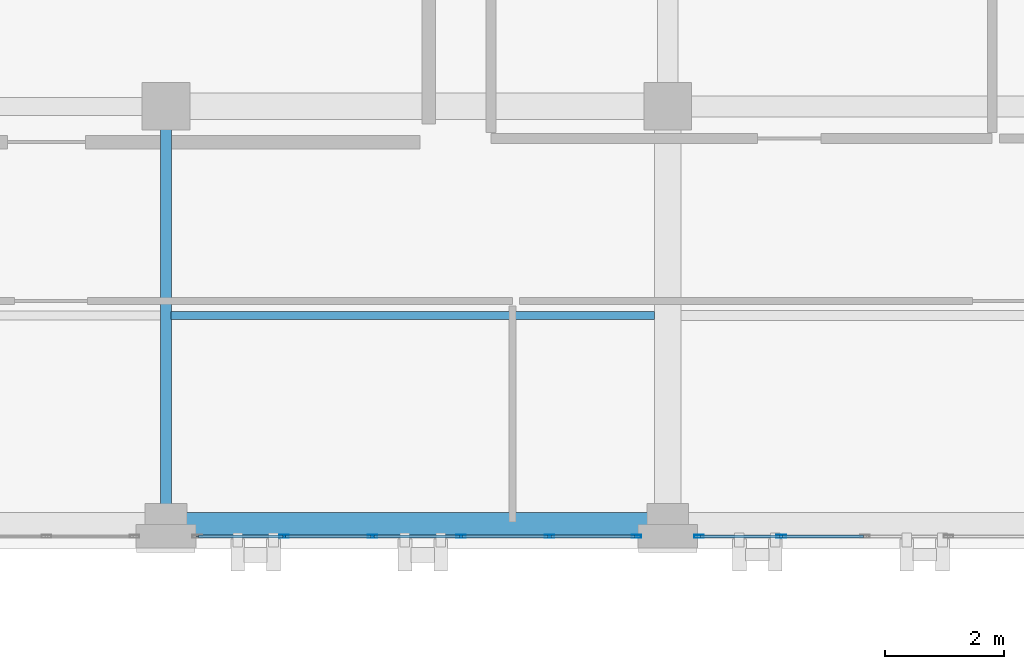
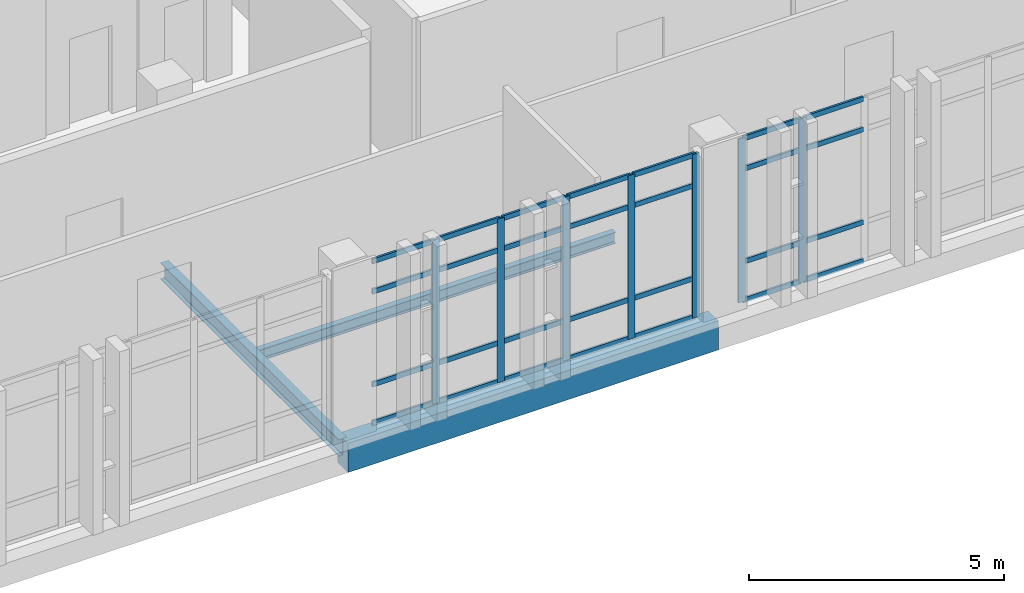
# One storey, part 80 of 158: 35 members, 3 beams, 2 elements without a shape of their own.
"""IFC4 building model written with IfcOpenShell, lengths in metres."""

import ifcopenshell
import ifcopenshell.guid

model = None  # the IFC model being written
_history = None  # IfcOwnerHistory: only IFC2X3 demands one
_inside = {}  # id of a spatial element -> (the spatial element, [elements in it])
_under = {}  # id of a project, library or spatial element -> (it, [spatial elements below it])
_declared = {}  # id of a project -> (the project, [libraries it declares])
_typed = {}  # id of a type object -> (the type object, [elements of that type])
_made_of = {}  # id of a material, layer set ... -> (it, [elements and type objects made of it])


def new_model(schema):
    """Start an empty IFC model of exactly this schema.

    Asked for "IFC4X3", IfcOpenShell would pick the latest addendum, in which some entities
    have other attributes; the version numbers below select the first issue.
    IFC2X3 requires an IfcOwnerHistory on every rooted entity: one is made here for all.
    """
    global model, _history
    if schema == "IFC4X3":
        model = ifcopenshell.file(schema_version=(4, 3, 0, 0))
    else:
        model = ifcopenshell.file(schema=schema)
    _inside.clear()
    _under.clear()
    _declared.clear()
    _typed.clear()
    _made_of.clear()
    _history = None
    if model.schema == "IFC2X3":
        org = make("IfcOrganization", Name="unknown")
        user = make(
            "IfcPersonAndOrganization",
            ThePerson=make("IfcPerson", FamilyName="unknown"),
            TheOrganization=org,
        )
        app = make(
            "IfcApplication",
            ApplicationDeveloper=org,
            Version="unknown",
            ApplicationFullName="unknown",
            ApplicationIdentifier="unknown",
        )
        _history = make(
            "IfcOwnerHistory",
            OwningUser=user,
            OwningApplication=app,
            ChangeAction="ADDED",
            CreationDate=0,
        )
    return model


def make(cls, **values):
    """One entity of the class cls with the attributes given. An attribute that is None is left unset."""
    return model.create_entity(
        cls, **{name: value for name, value in values.items() if value is not None}
    )


def rooted(cls, **values):
    """An entity with a GlobalId (a new one), such as an element, a storey or a relation."""
    return make(cls, GlobalId=ifcopenshell.guid.new(), OwnerHistory=_history, **values)


def si_unit(unit_type, name, prefix=None):
    """IfcSIUnit, for example si_unit("LENGTHUNIT", "METRE", prefix="MILLI")."""
    return make("IfcSIUnit", UnitType=unit_type, Prefix=prefix, Name=name)


def assignment(units):
    """IfcUnitAssignment: the units of a project."""
    return None if units is None else make("IfcUnitAssignment", Units=units)


def point(xyz):
    """IfcCartesianPoint."""
    return None if xyz is None else make("IfcCartesianPoint", Coordinates=xyz)


def direction(xyz):
    """IfcDirection."""
    return None if xyz is None else make("IfcDirection", DirectionRatios=xyz)


def frame(location, z_axis=None, x_axis=None):
    """IfcAxis2Placement3D, a coordinate frame: its origin and axes. An axis left out is left unset."""
    return make(
        "IfcAxis2Placement3D",
        Location=point(location),
        Axis=direction(z_axis),
        RefDirection=direction(x_axis),
    )


def frame_2d(location, x_axis=None):
    """IfcAxis2Placement2D, a coordinate frame in the plane: its origin and x axis."""
    return make(
        "IfcAxis2Placement2D", Location=point(location), RefDirection=direction(x_axis)
    )


def origin():
    """The frame at (0, 0, 0) with its axes left unset."""
    return frame((0.0, 0.0, 0.0))


def origin_2d():
    """The frame at (0, 0) in the plane with its x axis left unset."""
    return frame_2d((0.0, 0.0))


def place(relative_to, where):
    """IfcLocalPlacement: puts the frame where relative to a parent placement (None: the world)."""
    return make(
        "IfcLocalPlacement", PlacementRelTo=relative_to, RelativePlacement=where
    )


def context(
    kind, dimensions, precision=None, world=None, true_north=None, identifier=None
):
    """IfcGeometricRepresentationContext, for example the 3D "Model" context."""
    return make(
        "IfcGeometricRepresentationContext",
        ContextIdentifier=identifier,
        ContextType=kind,
        CoordinateSpaceDimension=dimensions,
        Precision=precision,
        WorldCoordinateSystem=world,
        TrueNorth=true_north,
    )


def subcontext(parent, identifier, kind, view, scale=None):
    """IfcGeometricRepresentationSubContext, for example "Body" below "Model"."""
    return make(
        "IfcGeometricRepresentationSubContext",
        ContextIdentifier=identifier,
        ContextType=kind,
        ParentContext=parent,
        TargetScale=scale,
        TargetView=view,
    )


def project(units=None, contexts=None):
    """IfcProject with its units and contexts."""
    return rooted(
        "IfcProject",
        Name="project",
        RepresentationContexts=contexts,
        UnitsInContext=assignment(units),
    )


def spatial(cls, under=None, at=None, **own):
    """A site, building, storey or space (cls), placed at a placement, below another one or the project."""
    s = rooted(cls, ObjectPlacement=at, **own)
    if under is not None:
        _under.setdefault(under.id(), (under, []))[1].append(s)
    return s


def profile(cls, at=None, kind="AREA", **sizes):
    """A parametric profile (cls). Its sizes go by their IFC names, for example OverallWidth=200.0."""
    return make(cls, ProfileType=kind, Position=at, **sizes)


def rectangle(**sizes):
    """IfcRectangleProfileDef."""
    return profile("IfcRectangleProfileDef", **sizes)


def hollow_rectangle(**sizes):
    """IfcRectangleHollowProfileDef."""
    return profile("IfcRectangleHollowProfileDef", **sizes)


def i_section(**sizes):
    """IfcIShapeProfileDef."""
    return profile("IfcIShapeProfileDef", **sizes)


def extrude(swept, where, along, depth):
    """IfcExtrudedAreaSolid: the profile swept, set in the frame where, extruded along a direction by depth."""
    return make(
        "IfcExtrudedAreaSolid",
        SweptArea=swept,
        Position=where,
        ExtrudedDirection=direction(along),
        Depth=depth,
    )


def shape(context_of_items, identifier, shape_type, items):
    """IfcShapeRepresentation: the items that make up one representation, for example the "Body"."""
    return make(
        "IfcShapeRepresentation",
        ContextOfItems=context_of_items,
        RepresentationIdentifier=identifier,
        RepresentationType=shape_type,
        Items=items,
    )


def material(Name=None, Category=None):
    """IfcMaterial."""
    return make("IfcMaterial", Name=Name, Category=Category)


def layer(
    of_material, thickness, ventilated=None, Name=None, Category=None, Priority=None
):
    """IfcMaterialLayer: one layer of a wall or slab, of a material (None: an air gap)."""
    return make(
        "IfcMaterialLayer",
        Material=of_material,
        LayerThickness=thickness,
        IsVentilated=ventilated,
        Name=Name,
        Category=Category,
        Priority=Priority,
    )


def layer_set(layers, Name=None):
    """IfcMaterialLayerSet."""
    return make("IfcMaterialLayerSet", MaterialLayers=layers, LayerSetName=Name)


def material_profile(
    of_material, cross_section, Name=None, Category=None, Priority=None
):
    """IfcMaterialProfile: a cross section and its material."""
    return make(
        "IfcMaterialProfile",
        Name=Name,
        Material=of_material,
        Profile=cross_section,
        Priority=Priority,
        Category=Category,
    )


def profile_set(profiles, Name=None, composite=None):
    """IfcMaterialProfileSet."""
    return make(
        "IfcMaterialProfileSet",
        Name=Name,
        MaterialProfiles=profiles,
        CompositeProfile=composite,
    )


def made_of(thing, what):
    """Note that an element or type object is made of a material, layer set ...; save() writes the relation."""
    if what is not None:
        _made_of.setdefault(what.id(), (what, []))[1].append(thing)
    return thing


def type_object(cls, material=None, **own):
    """A type object (cls), such as IfcWallType, which elements share."""
    return made_of(rooted(cls, **own), material)


def element(
    cls,
    number,
    at=None,
    inside=None,
    cuts=None,
    type_object=None,
    material=None,
    context=None,
    identifier="Body",
    shape_type=None,
    held_by="IfcProductDefinitionShape",
    body=None,
    shapes=None,
    **own,
):
    """One element of the class cls, such as IfcWall. Its Tag is "e" and its number.

    at: its placement. inside: the storey or other place that contains it. cuts: it is an
    opening in that element (IfcRelVoidsElement). A single representation is given by context,
    identifier, shape_type and body (its items); several are given by shapes. held_by: the class
    of the entity that holds the representations. save() writes the other relations.
    """
    e = rooted(cls, Tag="e%d" % number, ObjectPlacement=at, **own)
    if body is not None:
        shapes = [shape(context, identifier, shape_type, body)]
    if shapes is not None:
        e.Representation = make(held_by, Representations=shapes)
    if inside is not None:
        _inside.setdefault(inside.id(), (inside, []))[1].append(e)
    if cuts is not None:
        rooted(
            "IfcRelVoidsElement", RelatingBuildingElement=cuts, RelatedOpeningElement=e
        )
    if type_object is not None:
        _typed.setdefault(type_object.id(), (type_object, []))[1].append(e)
    return made_of(e, material)


def aggregate(whole, parts):
    """IfcRelAggregates: a whole, such as a stair, and the parts it consists of."""
    return rooted("IfcRelAggregates", RelatingObject=whole, RelatedObjects=parts)


def save(model, path):
    """Write the relations noted so far, then the file.

    IfcRelAggregates (storeys below a building ...), IfcRelContainedInSpatialStructure (elements
    in a storey), IfcRelDefinesByType, IfcRelAssociatesMaterial and IfcRelDeclares: one each for
    every whole, place, type object, material and project.
    """
    for whole, parts in _under.values():
        aggregate(whole, parts)
    for where, things in _inside.values():
        rooted(
            "IfcRelContainedInSpatialStructure",
            RelatedElements=things,
            RelatingStructure=where,
        )
    for kind, things in _typed.values():
        rooted("IfcRelDefinesByType", RelatedObjects=things, RelatingType=kind)
    for what, things in _made_of.values():
        rooted("IfcRelAssociatesMaterial", RelatedObjects=things, RelatingMaterial=what)
    for by, libraries in _declared.values():
        rooted("IfcRelDeclares", RelatingContext=by, RelatedDefinitions=libraries)
    model.write(path)


model = new_model("IFC4")

# Units and contexts
model_context = context("Model", 3, precision=1e-05, world=origin(), true_north=direction((0.0, 1.0)))
body_context = subcontext(model_context, "Body", "Model", "MODEL_VIEW")
ifc_project = project(units=[si_unit("LENGTHUNIT", "METRE"), si_unit("AREAUNIT", "SQUARE_METRE"), si_unit("VOLUMEUNIT", "CUBIC_METRE"), si_unit("PLANEANGLEUNIT", "RADIAN"), si_unit("MASSUNIT", "GRAM", prefix="KILO")], contexts=[model_context])

# Site, building, storey
site_placement = place(None, origin())
site = spatial("IfcSite", under=ifc_project, at=site_placement, CompositionType="ELEMENT")
building_placement = place(site_placement, origin())
building = spatial("IfcBuilding", under=site, at=building_placement, Name="Qalavern Law Courts", CompositionType="ELEMENT")
storey_placement = place(building_placement, frame((0.0, 0.0, 18.60009765625)))
storey = spatial("IfcBuildingStorey", under=building, at=storey_placement, Name="L04", CompositionType="ELEMENT", Elevation=18.60009765625)

# Curtain wall, members
ifc_material_1 = material(Name="Anodised aluminium and insulated glazing", Category="aluminium")
ifc_layer = layer(ifc_material_1, 0.166015625)
ifc_layer_set = layer_set([ifc_layer], Name="Anodised aluminium and insulated glazing")
curtain_wall_type = type_object("IfcCurtainWallType", Name="ENV-CW-LIB", PredefinedType="USERDEFINED", material=ifc_layer_set)
curtain_wall_1_placement = place(storey_placement, origin())
curtain_wall_1 = element("IfcCurtainWall", 1, at=curtain_wall_1_placement, inside=storey, type_object=curtain_wall_type, Name="V5 unitised curtain wall L04 south 2", ObjectType="UNITISED CURTAIN WALL", PredefinedType="USERDEFINED")
ifc_material_2 = material(Name="Anodised aluminium", Category="aluminium")
ifc_material_profile_1 = material_profile(ifc_material_2, hollow_rectangle(XDim=0.048095703125, YDim=0.159912109375, WallThickness=0.00390625, at=origin_2d()), Name="ALU MULLION 48x160")
ifc_profile_set_1 = profile_set([ifc_material_profile_1], Name="Anodised aluminium")
member_type_1 = type_object("IfcMemberType", Name="ENV-CWM-48x160", PredefinedType="MULLION", material=ifc_profile_set_1)
member_1_placement = place(storey_placement, frame((30.3798828125, 96.39990234375, 0.0), z_axis=(0.0, 0.0, 1.0), x_axis=(0.0, 1.0, 0.0)))
member_1 = element("IfcMember", 2, at=member_1_placement, type_object=member_type_1, Name="CW-05 mullion 2", PredefinedType="MULLION", context=body_context, shape_type="SweptSolid", body=[
    extrude(hollow_rectangle(XDim=0.048095703125, YDim=0.159912109375, WallThickness=0.00390625, at=origin_2d()), origin(), (0.0, 0.0, 1.0), 3.9248046875),
])
member_2_placement = place(storey_placement, frame((31.860107421875, 96.39990234375, 0.0), z_axis=(0.0, 0.0, 1.0), x_axis=(0.0, 1.0, 0.0)))
member_2 = element("IfcMember", 3, at=member_2_placement, type_object=member_type_1, Name="CW-05 mullion 3", PredefinedType="MULLION", context=body_context, shape_type="SweptSolid", body=[
    extrude(hollow_rectangle(XDim=0.048095703125, YDim=0.159912109375, WallThickness=0.00390625, at=origin_2d()), origin(), (0.0, 0.0, 1.0), 3.9248046875),
])
member_3_placement = place(storey_placement, frame((33.340087890625, 96.39990234375, 0.0), z_axis=(0.0, 0.0, 1.0), x_axis=(0.0, 1.0, 0.0)))
member_3 = element("IfcMember", 4, at=member_3_placement, type_object=member_type_1, Name="CW-05 mullion 4", PredefinedType="MULLION", context=body_context, shape_type="SweptSolid", body=[
    extrude(hollow_rectangle(XDim=0.048095703125, YDim=0.159912109375, WallThickness=0.00390625, at=origin_2d()), origin(), (0.0, 0.0, 1.0), 3.9248046875),
])
member_4_placement = place(storey_placement, frame((34.820068359375, 96.39990234375, 0.0), z_axis=(0.0, 0.0, 1.0), x_axis=(0.0, 1.0, 0.0)))
member_4 = element("IfcMember", 5, at=member_4_placement, type_object=member_type_1, Name="CW-05 mullion 5", PredefinedType="MULLION", context=body_context, shape_type="SweptSolid", body=[
    extrude(hollow_rectangle(XDim=0.048095703125, YDim=0.159912109375, WallThickness=0.00390625, at=origin_2d()), origin(), (0.0, 0.0, 1.0), 3.9248046875),
])
member_5_placement = place(storey_placement, frame((36.27587890625, 96.39990234375, 0.0), z_axis=(0.0, 0.0, 1.0), x_axis=(0.0, 1.0, 0.0)))
member_5 = element("IfcMember", 6, at=member_5_placement, type_object=member_type_1, Name="CW-05 mullion 6", PredefinedType="MULLION", context=body_context, shape_type="SweptSolid", body=[
    extrude(hollow_rectangle(XDim=0.048095703125, YDim=0.159912109375, WallThickness=0.00390625, at=origin_2d()), origin(), (0.0, 0.0, 1.0), 3.9248046875),
])

curtain_wall_2_placement = place(storey_placement, origin())
curtain_wall_2 = element("IfcCurtainWall", 7, at=curtain_wall_2_placement, inside=storey, type_object=curtain_wall_type, Name="V5 unitised curtain wall L04 south 3", ObjectType="UNITISED CURTAIN WALL", PredefinedType="USERDEFINED")
member_6_placement = place(storey_placement, frame((37.323974609375, 96.39990234375, 0.0), z_axis=(0.0, 0.0, 1.0), x_axis=(0.0, 1.0, 0.0)))
member_6 = element("IfcMember", 8, at=member_6_placement, type_object=member_type_1, Name="CW-05 mullion 1", PredefinedType="MULLION", context=body_context, shape_type="SweptSolid", body=[
    extrude(hollow_rectangle(XDim=0.048095703125, YDim=0.159912109375, WallThickness=0.00390625, at=origin_2d()), origin(), (0.0, 0.0, 1.0), 3.9248046875),
])
member_7_placement = place(storey_placement, frame((38.699951171875, 96.39990234375, 0.0), z_axis=(0.0, 0.0, 1.0), x_axis=(0.0, 1.0, 0.0)))
member_7 = element("IfcMember", 9, at=member_7_placement, type_object=member_type_1, Name="CW-05 mullion 2", PredefinedType="MULLION", context=body_context, shape_type="SweptSolid", body=[
    extrude(hollow_rectangle(XDim=0.048095703125, YDim=0.159912109375, WallThickness=0.00390625, at=origin_2d()), origin(), (0.0, 0.0, 1.0), 3.9248046875),
])

# Member
ifc_material_profile_2 = material_profile(ifc_material_2, hollow_rectangle(XDim=0.048095703125, YDim=0.1201171875, WallThickness=0.00390625, at=origin_2d()), Name="ALU TRANSOM 48x120")
ifc_profile_set_2 = profile_set([ifc_material_profile_2], Name="Anodised aluminium")
member_type_2 = type_object("IfcMemberType", Name="ENV-CWT-48x120", PredefinedType="USERDEFINED", material=ifc_profile_set_2)
member_8_placement = place(storey_placement, frame((28.947998046875, 96.39990234375, 0.02392578125), z_axis=(1.0, 0.0, 0.0), x_axis=(0.0, 1.0, 0.0)))
member_8 = element("IfcMember", 10, at=member_8_placement, type_object=member_type_2, Name="CW-05 transom 1.1", ObjectType="TRANSOM", PredefinedType="USERDEFINED", context=body_context, shape_type="SweptSolid", body=[
    extrude(hollow_rectangle(XDim=0.048095703125, YDim=0.1201171875, WallThickness=0.00390625, at=origin_2d()), origin(), (0.0, 0.0, 1.0), 1.407958984375),
])

member_9_placement = place(storey_placement, frame((28.947998046875, 96.39990234375, 0.949951171875), z_axis=(1.0, 0.0, 0.0), x_axis=(0.0, 1.0, 0.0)))
member_9 = element("IfcMember", 11, at=member_9_placement, type_object=member_type_2, Name="CW-05 transom 1.2", ObjectType="TRANSOM", PredefinedType="USERDEFINED", context=body_context, shape_type="SweptSolid", body=[
    extrude(hollow_rectangle(XDim=0.048095703125, YDim=0.1201171875, WallThickness=0.00390625, at=origin_2d()), origin(), (0.0, 0.0, 1.0), 1.407958984375),
])

member_10_placement = place(storey_placement, frame((28.947998046875, 96.39990234375, 3.1748046875), z_axis=(1.0, 0.0, 0.0), x_axis=(0.0, 1.0, 0.0)))
member_10 = element("IfcMember", 12, at=member_10_placement, type_object=member_type_2, Name="CW-05 transom 1.3", ObjectType="TRANSOM", PredefinedType="USERDEFINED", context=body_context, shape_type="SweptSolid", body=[
    extrude(hollow_rectangle(XDim=0.048095703125, YDim=0.1201171875, WallThickness=0.00390625, at=origin_2d()), origin(), (0.0, 0.0, 1.0), 1.407958984375),
])

member_11_placement = place(storey_placement, frame((28.947998046875, 96.39990234375, 3.90087890625), z_axis=(1.0, 0.0, 0.0), x_axis=(0.0, 1.0, 0.0)))
member_11 = element("IfcMember", 13, at=member_11_placement, type_object=member_type_2, Name="CW-05 transom 1.4", ObjectType="TRANSOM", PredefinedType="USERDEFINED", context=body_context, shape_type="SweptSolid", body=[
    extrude(hollow_rectangle(XDim=0.048095703125, YDim=0.1201171875, WallThickness=0.00390625, at=origin_2d()), origin(), (0.0, 0.0, 1.0), 1.407958984375),
])

member_12_placement = place(storey_placement, frame((30.404052734375, 96.39990234375, 0.02392578125), z_axis=(1.0, 0.0, 0.0), x_axis=(0.0, 1.0, 0.0)))
member_12 = element("IfcMember", 14, at=member_12_placement, type_object=member_type_2, Name="CW-05 transom 2.1", ObjectType="TRANSOM", PredefinedType="USERDEFINED", context=body_context, shape_type="SweptSolid", body=[
    extrude(hollow_rectangle(XDim=0.048095703125, YDim=0.1201171875, WallThickness=0.00390625, at=origin_2d()), origin(), (0.0, 0.0, 1.0), 1.431884765625),
])

member_13_placement = place(storey_placement, frame((30.404052734375, 96.39990234375, 0.949951171875), z_axis=(1.0, 0.0, 0.0), x_axis=(0.0, 1.0, 0.0)))
member_13 = element("IfcMember", 15, at=member_13_placement, type_object=member_type_2, Name="CW-05 transom 2.2", ObjectType="TRANSOM", PredefinedType="USERDEFINED", context=body_context, shape_type="SweptSolid", body=[
    extrude(hollow_rectangle(XDim=0.048095703125, YDim=0.1201171875, WallThickness=0.00390625, at=origin_2d()), origin(), (0.0, 0.0, 1.0), 1.431884765625),
])

member_14_placement = place(storey_placement, frame((30.404052734375, 96.39990234375, 3.1748046875), z_axis=(1.0, 0.0, 0.0), x_axis=(0.0, 1.0, 0.0)))
member_14 = element("IfcMember", 16, at=member_14_placement, type_object=member_type_2, Name="CW-05 transom 2.3", ObjectType="TRANSOM", PredefinedType="USERDEFINED", context=body_context, shape_type="SweptSolid", body=[
    extrude(hollow_rectangle(XDim=0.048095703125, YDim=0.1201171875, WallThickness=0.00390625, at=origin_2d()), origin(), (0.0, 0.0, 1.0), 1.431884765625),
])

member_15_placement = place(storey_placement, frame((30.404052734375, 96.39990234375, 3.90087890625), z_axis=(1.0, 0.0, 0.0), x_axis=(0.0, 1.0, 0.0)))
member_15 = element("IfcMember", 17, at=member_15_placement, type_object=member_type_2, Name="CW-05 transom 2.4", ObjectType="TRANSOM", PredefinedType="USERDEFINED", context=body_context, shape_type="SweptSolid", body=[
    extrude(hollow_rectangle(XDim=0.048095703125, YDim=0.1201171875, WallThickness=0.00390625, at=origin_2d()), origin(), (0.0, 0.0, 1.0), 1.431884765625),
])

member_16_placement = place(storey_placement, frame((31.884033203125, 96.39990234375, 0.02392578125), z_axis=(1.0, 0.0, 0.0), x_axis=(0.0, 1.0, 0.0)))
member_16 = element("IfcMember", 18, at=member_16_placement, type_object=member_type_2, Name="CW-05 transom 3.1", ObjectType="TRANSOM", PredefinedType="USERDEFINED", context=body_context, shape_type="SweptSolid", body=[
    extrude(hollow_rectangle(XDim=0.048095703125, YDim=0.1201171875, WallThickness=0.00390625, at=origin_2d()), origin(), (0.0, 0.0, 1.0), 1.431884765625),
])

member_17_placement = place(storey_placement, frame((31.884033203125, 96.39990234375, 0.949951171875), z_axis=(1.0, 0.0, 0.0), x_axis=(0.0, 1.0, 0.0)))
member_17 = element("IfcMember", 19, at=member_17_placement, type_object=member_type_2, Name="CW-05 transom 3.2", ObjectType="TRANSOM", PredefinedType="USERDEFINED", context=body_context, shape_type="SweptSolid", body=[
    extrude(hollow_rectangle(XDim=0.048095703125, YDim=0.1201171875, WallThickness=0.00390625, at=origin_2d()), origin(), (0.0, 0.0, 1.0), 1.431884765625),
])

member_18_placement = place(storey_placement, frame((31.884033203125, 96.39990234375, 3.1748046875), z_axis=(1.0, 0.0, 0.0), x_axis=(0.0, 1.0, 0.0)))
member_18 = element("IfcMember", 20, at=member_18_placement, type_object=member_type_2, Name="CW-05 transom 3.3", ObjectType="TRANSOM", PredefinedType="USERDEFINED", context=body_context, shape_type="SweptSolid", body=[
    extrude(hollow_rectangle(XDim=0.048095703125, YDim=0.1201171875, WallThickness=0.00390625, at=origin_2d()), origin(), (0.0, 0.0, 1.0), 1.431884765625),
])

member_19_placement = place(storey_placement, frame((31.884033203125, 96.39990234375, 3.90087890625), z_axis=(1.0, 0.0, 0.0), x_axis=(0.0, 1.0, 0.0)))
member_19 = element("IfcMember", 21, at=member_19_placement, type_object=member_type_2, Name="CW-05 transom 3.4", ObjectType="TRANSOM", PredefinedType="USERDEFINED", context=body_context, shape_type="SweptSolid", body=[
    extrude(hollow_rectangle(XDim=0.048095703125, YDim=0.1201171875, WallThickness=0.00390625, at=origin_2d()), origin(), (0.0, 0.0, 1.0), 1.431884765625),
])

member_20_placement = place(storey_placement, frame((33.364013671875, 96.39990234375, 0.02392578125), z_axis=(1.0, 0.0, 0.0), x_axis=(0.0, 1.0, 0.0)))
member_20 = element("IfcMember", 22, at=member_20_placement, type_object=member_type_2, Name="CW-05 transom 4.1", ObjectType="TRANSOM", PredefinedType="USERDEFINED", context=body_context, shape_type="SweptSolid", body=[
    extrude(hollow_rectangle(XDim=0.048095703125, YDim=0.1201171875, WallThickness=0.00390625, at=origin_2d()), origin(), (0.0, 0.0, 1.0), 1.431884765625),
])

member_21_placement = place(storey_placement, frame((33.364013671875, 96.39990234375, 0.949951171875), z_axis=(1.0, 0.0, 0.0), x_axis=(0.0, 1.0, 0.0)))
member_21 = element("IfcMember", 23, at=member_21_placement, type_object=member_type_2, Name="CW-05 transom 4.2", ObjectType="TRANSOM", PredefinedType="USERDEFINED", context=body_context, shape_type="SweptSolid", body=[
    extrude(hollow_rectangle(XDim=0.048095703125, YDim=0.1201171875, WallThickness=0.00390625, at=origin_2d()), origin(), (0.0, 0.0, 1.0), 1.431884765625),
])

member_22_placement = place(storey_placement, frame((33.364013671875, 96.39990234375, 3.1748046875), z_axis=(1.0, 0.0, 0.0), x_axis=(0.0, 1.0, 0.0)))
member_22 = element("IfcMember", 24, at=member_22_placement, type_object=member_type_2, Name="CW-05 transom 4.3", ObjectType="TRANSOM", PredefinedType="USERDEFINED", context=body_context, shape_type="SweptSolid", body=[
    extrude(hollow_rectangle(XDim=0.048095703125, YDim=0.1201171875, WallThickness=0.00390625, at=origin_2d()), origin(), (0.0, 0.0, 1.0), 1.431884765625),
])

member_23_placement = place(storey_placement, frame((33.364013671875, 96.39990234375, 3.90087890625), z_axis=(1.0, 0.0, 0.0), x_axis=(0.0, 1.0, 0.0)))
member_23 = element("IfcMember", 25, at=member_23_placement, type_object=member_type_2, Name="CW-05 transom 4.4", ObjectType="TRANSOM", PredefinedType="USERDEFINED", context=body_context, shape_type="SweptSolid", body=[
    extrude(hollow_rectangle(XDim=0.048095703125, YDim=0.1201171875, WallThickness=0.00390625, at=origin_2d()), origin(), (0.0, 0.0, 1.0), 1.431884765625),
])

member_24_placement = place(storey_placement, frame((34.843994140625, 96.39990234375, 0.02392578125), z_axis=(1.0, 0.0, 0.0), x_axis=(0.0, 1.0, 0.0)))
member_24 = element("IfcMember", 26, at=member_24_placement, type_object=member_type_2, Name="CW-05 transom 5.1", ObjectType="TRANSOM", PredefinedType="USERDEFINED", context=body_context, shape_type="SweptSolid", body=[
    extrude(hollow_rectangle(XDim=0.048095703125, YDim=0.1201171875, WallThickness=0.00390625, at=origin_2d()), origin(), (0.0, 0.0, 1.0), 1.407958984375),
])

member_25_placement = place(storey_placement, frame((34.843994140625, 96.39990234375, 0.949951171875), z_axis=(1.0, 0.0, 0.0), x_axis=(0.0, 1.0, 0.0)))
member_25 = element("IfcMember", 27, at=member_25_placement, type_object=member_type_2, Name="CW-05 transom 5.2", ObjectType="TRANSOM", PredefinedType="USERDEFINED", context=body_context, shape_type="SweptSolid", body=[
    extrude(hollow_rectangle(XDim=0.048095703125, YDim=0.1201171875, WallThickness=0.00390625, at=origin_2d()), origin(), (0.0, 0.0, 1.0), 1.407958984375),
])

member_26_placement = place(storey_placement, frame((34.843994140625, 96.39990234375, 3.1748046875), z_axis=(1.0, 0.0, 0.0), x_axis=(0.0, 1.0, 0.0)))
member_26 = element("IfcMember", 28, at=member_26_placement, type_object=member_type_2, Name="CW-05 transom 5.3", ObjectType="TRANSOM", PredefinedType="USERDEFINED", context=body_context, shape_type="SweptSolid", body=[
    extrude(hollow_rectangle(XDim=0.048095703125, YDim=0.1201171875, WallThickness=0.00390625, at=origin_2d()), origin(), (0.0, 0.0, 1.0), 1.407958984375),
])

member_27_placement = place(storey_placement, frame((34.843994140625, 96.39990234375, 3.90087890625), z_axis=(1.0, 0.0, 0.0), x_axis=(0.0, 1.0, 0.0)))
member_27 = element("IfcMember", 29, at=member_27_placement, type_object=member_type_2, Name="CW-05 transom 5.4", ObjectType="TRANSOM", PredefinedType="USERDEFINED", context=body_context, shape_type="SweptSolid", body=[
    extrude(hollow_rectangle(XDim=0.048095703125, YDim=0.1201171875, WallThickness=0.00390625, at=origin_2d()), origin(), (0.0, 0.0, 1.0), 1.407958984375),
])

aggregate(curtain_wall_1, [member_1, member_2, member_3, member_4, member_5, member_8, member_9, member_10, member_11, member_12, member_13, member_14, member_15, member_16, member_17, member_18, member_19, member_20, member_21, member_22, member_23, member_24, member_25, member_26, member_27])

member_28_placement = place(storey_placement, frame((37.347900390625, 96.39990234375, 0.02392578125), z_axis=(1.0, 0.0, 0.0), x_axis=(0.0, 1.0, 0.0)))
member_28 = element("IfcMember", 30, at=member_28_placement, type_object=member_type_2, Name="CW-05 transom 1.1", ObjectType="TRANSOM", PredefinedType="USERDEFINED", context=body_context, shape_type="SweptSolid", body=[
    extrude(hollow_rectangle(XDim=0.048095703125, YDim=0.1201171875, WallThickness=0.00390625, at=origin_2d()), origin(), (0.0, 0.0, 1.0), 1.328125),
])

member_29_placement = place(storey_placement, frame((37.347900390625, 96.39990234375, 0.949951171875), z_axis=(1.0, 0.0, 0.0), x_axis=(0.0, 1.0, 0.0)))
member_29 = element("IfcMember", 31, at=member_29_placement, type_object=member_type_2, Name="CW-05 transom 1.2", ObjectType="TRANSOM", PredefinedType="USERDEFINED", context=body_context, shape_type="SweptSolid", body=[
    extrude(hollow_rectangle(XDim=0.048095703125, YDim=0.1201171875, WallThickness=0.00390625, at=origin_2d()), origin(), (0.0, 0.0, 1.0), 1.328125),
])

member_30_placement = place(storey_placement, frame((37.347900390625, 96.39990234375, 3.1748046875), z_axis=(1.0, 0.0, 0.0), x_axis=(0.0, 1.0, 0.0)))
member_30 = element("IfcMember", 32, at=member_30_placement, type_object=member_type_2, Name="CW-05 transom 1.3", ObjectType="TRANSOM", PredefinedType="USERDEFINED", context=body_context, shape_type="SweptSolid", body=[
    extrude(hollow_rectangle(XDim=0.048095703125, YDim=0.1201171875, WallThickness=0.00390625, at=origin_2d()), origin(), (0.0, 0.0, 1.0), 1.328125),
])

member_31_placement = place(storey_placement, frame((37.347900390625, 96.39990234375, 3.90087890625), z_axis=(1.0, 0.0, 0.0), x_axis=(0.0, 1.0, 0.0)))
member_31 = element("IfcMember", 33, at=member_31_placement, type_object=member_type_2, Name="CW-05 transom 1.4", ObjectType="TRANSOM", PredefinedType="USERDEFINED", context=body_context, shape_type="SweptSolid", body=[
    extrude(hollow_rectangle(XDim=0.048095703125, YDim=0.1201171875, WallThickness=0.00390625, at=origin_2d()), origin(), (0.0, 0.0, 1.0), 1.328125),
])

member_32_placement = place(storey_placement, frame((38.72412109375, 96.39990234375, 0.02392578125), z_axis=(1.0, 0.0, 0.0), x_axis=(0.0, 1.0, 0.0)))
member_32 = element("IfcMember", 34, at=member_32_placement, type_object=member_type_2, Name="CW-05 transom 2.1", ObjectType="TRANSOM", PredefinedType="USERDEFINED", context=body_context, shape_type="SweptSolid", body=[
    extrude(hollow_rectangle(XDim=0.048095703125, YDim=0.1201171875, WallThickness=0.00390625, at=origin_2d()), origin(), (0.0, 0.0, 1.0), 1.351806640625),
])

member_33_placement = place(storey_placement, frame((38.72412109375, 96.39990234375, 0.949951171875), z_axis=(1.0, 0.0, 0.0), x_axis=(0.0, 1.0, 0.0)))
member_33 = element("IfcMember", 35, at=member_33_placement, type_object=member_type_2, Name="CW-05 transom 2.2", ObjectType="TRANSOM", PredefinedType="USERDEFINED", context=body_context, shape_type="SweptSolid", body=[
    extrude(hollow_rectangle(XDim=0.048095703125, YDim=0.1201171875, WallThickness=0.00390625, at=origin_2d()), origin(), (0.0, 0.0, 1.0), 1.351806640625),
])

member_34_placement = place(storey_placement, frame((38.72412109375, 96.39990234375, 3.1748046875), z_axis=(1.0, 0.0, 0.0), x_axis=(0.0, 1.0, 0.0)))
member_34 = element("IfcMember", 36, at=member_34_placement, type_object=member_type_2, Name="CW-05 transom 2.3", ObjectType="TRANSOM", PredefinedType="USERDEFINED", context=body_context, shape_type="SweptSolid", body=[
    extrude(hollow_rectangle(XDim=0.048095703125, YDim=0.1201171875, WallThickness=0.00390625, at=origin_2d()), origin(), (0.0, 0.0, 1.0), 1.351806640625),
])

member_35_placement = place(storey_placement, frame((38.72412109375, 96.39990234375, 3.90087890625), z_axis=(1.0, 0.0, 0.0), x_axis=(0.0, 1.0, 0.0)))
member_35 = element("IfcMember", 37, at=member_35_placement, type_object=member_type_2, Name="CW-05 transom 2.4", ObjectType="TRANSOM", PredefinedType="USERDEFINED", context=body_context, shape_type="SweptSolid", body=[
    extrude(hollow_rectangle(XDim=0.048095703125, YDim=0.1201171875, WallThickness=0.00390625, at=origin_2d()), origin(), (0.0, 0.0, 1.0), 1.351806640625),
])

aggregate(curtain_wall_2, [member_6, member_7, member_28, member_29, member_30, member_31, member_32, member_33, member_34, member_35])

# Beams
ifc_material_3 = material(Name="Steel S355", Category="steel")
ifc_material_profile_3 = material_profile(ifc_material_3, i_section(OverallWidth=0.179931640625, OverallDepth=0.39990234375, WebThickness=0.008544921875, FlangeThickness=0.013427734375, FilletRadius=0.02099609375, at=origin_2d()), Name="IPE 400")
ifc_profile_set_3 = profile_set([ifc_material_profile_3], Name="Steel S355")
beam_type_1 = type_object("IfcBeamType", Name="STR-BM-IPE400", PredefinedType="BEAM", material=ifc_profile_set_3)
beam_1_placement = place(storey_placement, frame((28.39990234375, 96.60009765625, -0.47998046875), z_axis=(0.0, 1.0, 0.0), x_axis=(-1.0, 0.0, 0.0)))
element("IfcBeam", 38, at=beam_1_placement, inside=storey, type_object=beam_type_1, Name="V5 Y-beam 4-1 L04", PredefinedType="BEAM", context=body_context, shape_type="SweptSolid", body=[
    extrude(i_section(OverallWidth=0.179931640625, OverallDepth=0.39990234375, WebThickness=0.008544921875, FlangeThickness=0.013427734375, FilletRadius=0.02099609375, at=origin_2d()), origin(), (0.0, 0.0, 1.0), 7.0),
])
ifc_material_profile_4 = material_profile(ifc_material_3, i_section(OverallWidth=0.135009765625, OverallDepth=0.27001953125, WebThickness=0.006591796875, FlangeThickness=0.01025390625, FilletRadius=0.014892578125, at=origin_2d()), Name="IPE 270")
ifc_profile_set_4 = profile_set([ifc_material_profile_4], Name="Steel S355")
beam_type_2 = type_object("IfcBeamType", Name="STR-JST-IPE270", PredefinedType="JOIST", material=ifc_profile_set_4)
beam_2_placement = place(storey_placement, frame((28.488037109375, 100.10009765625, -0.4150390625), z_axis=(1.0, 0.0, 0.0), x_axis=(0.0, 1.0, 0.0)))
element("IfcBeam", 39, at=beam_2_placement, inside=storey, type_object=beam_type_2, Name="V5 secondary joist 4.1.1 L04", PredefinedType="JOIST", context=body_context, shape_type="SweptSolid", body=[
    extrude(i_section(OverallWidth=0.135009765625, OverallDepth=0.27001953125, WebThickness=0.006591796875, FlangeThickness=0.01025390625, FilletRadius=0.014892578125, at=origin_2d()), origin(), (0.0, 0.0, 1.0), 8.0888671875),
])
ifc_material_4 = material(Name="Concrete C40/50", Category="concrete")
ifc_material_profile_5 = material_profile(ifc_material_4, rectangle(XDim=0.39990234375, YDim=0.699951171875, at=origin_2d()), Name="RC 400x700")
ifc_profile_set_5 = profile_set([ifc_material_profile_5], Name="Concrete C40/50")
beam_type_3 = type_object("IfcBeamType", Name="STR-SP-RC400x700", PredefinedType="SPANDREL", material=ifc_profile_set_5)
beam_3_placement = place(storey_placement, frame((28.39990234375, 96.60009765625, -0.630126953125), z_axis=(1.0, 0.0, 0.0), x_axis=(0.0, 1.0, 0.0)))
element("IfcBeam", 40, at=beam_3_placement, inside=storey, type_object=beam_type_3, Name="V5 X-beam 1-4 L04", PredefinedType="SPANDREL", context=body_context, shape_type="SweptSolid", body=[
    extrude(rectangle(XDim=0.39990234375, YDim=0.699951171875, at=origin_2d()), origin(), (0.0, 0.0, 1.0), 8.400146484375),
])

save(model, "model.ifc")
